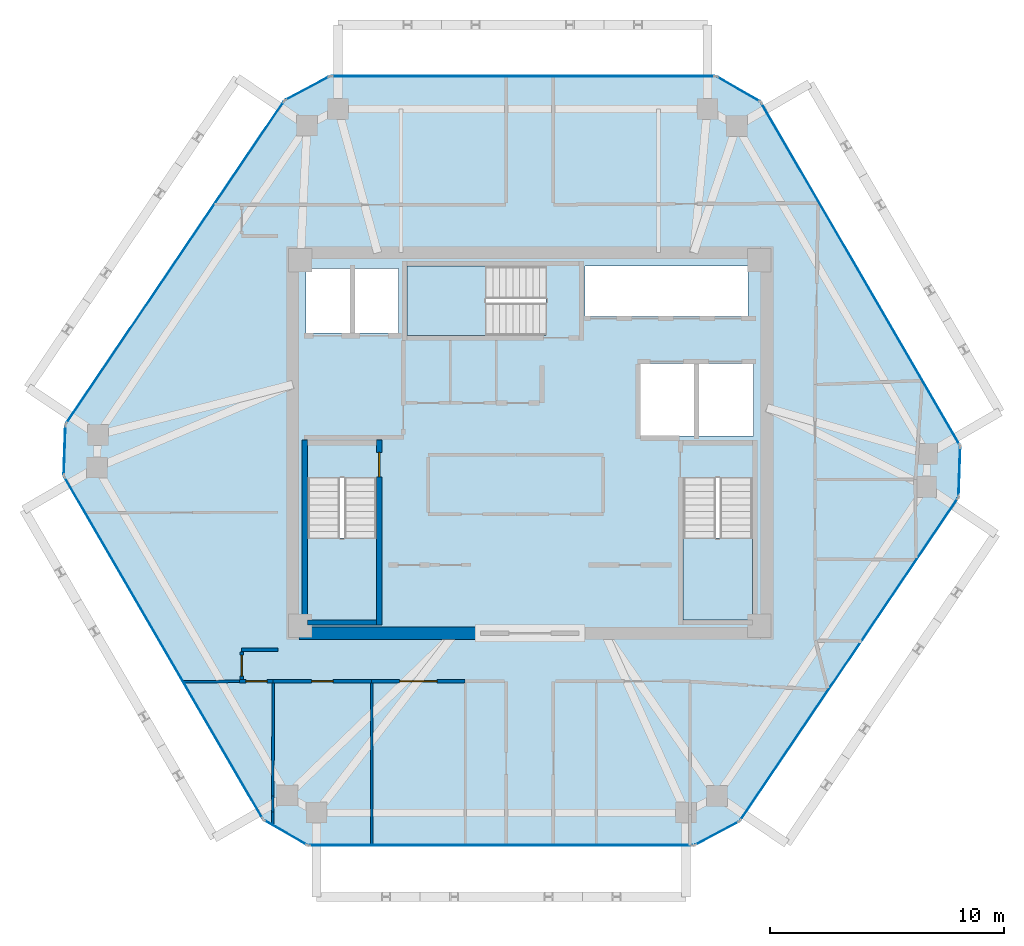
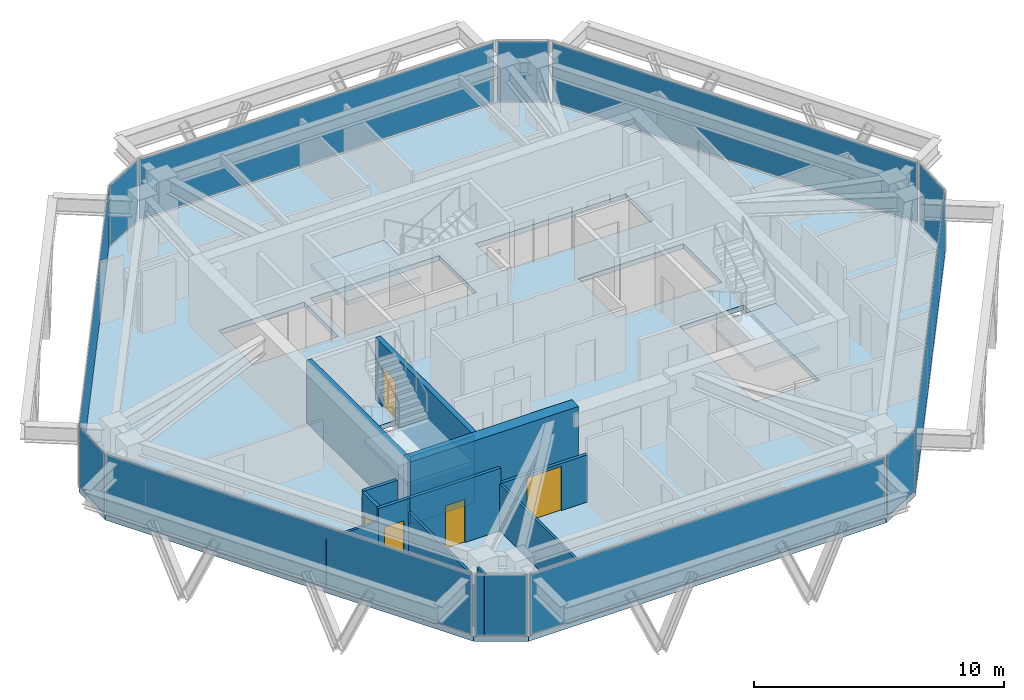
# One storey, part 7 of 11: 14 walls, 12 plates, 5 doors, 4 slabs, 5 openings, 15 elements without a shape of their own.
"""IFC4 building model written with IfcOpenShell, lengths in metres."""

import ifcopenshell
import ifcopenshell.guid

model = None  # the IFC model being written
_history = None  # IfcOwnerHistory: only IFC2X3 demands one
_inside = {}  # id of a spatial element -> (the spatial element, [elements in it])
_under = {}  # id of a project, library or spatial element -> (it, [spatial elements below it])
_declared = {}  # id of a project -> (the project, [libraries it declares])
_typed = {}  # id of a type object -> (the type object, [elements of that type])
_made_of = {}  # id of a material, layer set ... -> (it, [elements and type objects made of it])


def new_model(schema):
    """Start an empty IFC model of exactly this schema.

    Asked for "IFC4X3", IfcOpenShell would pick the latest addendum, in which some entities
    have other attributes; the version numbers below select the first issue.
    IFC2X3 requires an IfcOwnerHistory on every rooted entity: one is made here for all.
    """
    global model, _history
    if schema == "IFC4X3":
        model = ifcopenshell.file(schema_version=(4, 3, 0, 0))
    else:
        model = ifcopenshell.file(schema=schema)
    _inside.clear()
    _under.clear()
    _declared.clear()
    _typed.clear()
    _made_of.clear()
    _history = None
    if model.schema == "IFC2X3":
        org = make("IfcOrganization", Name="unknown")
        user = make(
            "IfcPersonAndOrganization",
            ThePerson=make("IfcPerson", FamilyName="unknown"),
            TheOrganization=org,
        )
        app = make(
            "IfcApplication",
            ApplicationDeveloper=org,
            Version="unknown",
            ApplicationFullName="unknown",
            ApplicationIdentifier="unknown",
        )
        _history = make(
            "IfcOwnerHistory",
            OwningUser=user,
            OwningApplication=app,
            ChangeAction="ADDED",
            CreationDate=0,
        )
    return model


def make(cls, **values):
    """One entity of the class cls with the attributes given. An attribute that is None is left unset."""
    return model.create_entity(
        cls, **{name: value for name, value in values.items() if value is not None}
    )


def rooted(cls, **values):
    """An entity with a GlobalId (a new one), such as an element, a storey or a relation."""
    return make(cls, GlobalId=ifcopenshell.guid.new(), OwnerHistory=_history, **values)


def si_unit(unit_type, name, prefix=None):
    """IfcSIUnit, for example si_unit("LENGTHUNIT", "METRE", prefix="MILLI")."""
    return make("IfcSIUnit", UnitType=unit_type, Prefix=prefix, Name=name)


def assignment(units):
    """IfcUnitAssignment: the units of a project."""
    return None if units is None else make("IfcUnitAssignment", Units=units)


def point(xyz):
    """IfcCartesianPoint."""
    return None if xyz is None else make("IfcCartesianPoint", Coordinates=xyz)


def direction(xyz):
    """IfcDirection."""
    return None if xyz is None else make("IfcDirection", DirectionRatios=xyz)


def frame(location, z_axis=None, x_axis=None):
    """IfcAxis2Placement3D, a coordinate frame: its origin and axes. An axis left out is left unset."""
    return make(
        "IfcAxis2Placement3D",
        Location=point(location),
        Axis=direction(z_axis),
        RefDirection=direction(x_axis),
    )


def frame_2d(location, x_axis=None):
    """IfcAxis2Placement2D, a coordinate frame in the plane: its origin and x axis."""
    return make(
        "IfcAxis2Placement2D", Location=point(location), RefDirection=direction(x_axis)
    )


def origin():
    """The frame at (0, 0, 0) with its axes left unset."""
    return frame((0.0, 0.0, 0.0))


def origin_2d():
    """The frame at (0, 0) in the plane with its x axis left unset."""
    return frame_2d((0.0, 0.0))


def place(relative_to, where):
    """IfcLocalPlacement: puts the frame where relative to a parent placement (None: the world)."""
    return make(
        "IfcLocalPlacement", PlacementRelTo=relative_to, RelativePlacement=where
    )


def context(
    kind, dimensions, precision=None, world=None, true_north=None, identifier=None
):
    """IfcGeometricRepresentationContext, for example the 3D "Model" context."""
    return make(
        "IfcGeometricRepresentationContext",
        ContextIdentifier=identifier,
        ContextType=kind,
        CoordinateSpaceDimension=dimensions,
        Precision=precision,
        WorldCoordinateSystem=world,
        TrueNorth=true_north,
    )


def subcontext(parent, identifier, kind, view, scale=None):
    """IfcGeometricRepresentationSubContext, for example "Body" below "Model"."""
    return make(
        "IfcGeometricRepresentationSubContext",
        ContextIdentifier=identifier,
        ContextType=kind,
        ParentContext=parent,
        TargetScale=scale,
        TargetView=view,
    )


def project(units=None, contexts=None):
    """IfcProject with its units and contexts."""
    return rooted(
        "IfcProject",
        Name="project",
        RepresentationContexts=contexts,
        UnitsInContext=assignment(units),
    )


def spatial(cls, under=None, at=None, **own):
    """A site, building, storey or space (cls), placed at a placement, below another one or the project."""
    s = rooted(cls, ObjectPlacement=at, **own)
    if under is not None:
        _under.setdefault(under.id(), (under, []))[1].append(s)
    return s


def polyline(points):
    """IfcPolyline through the points."""
    return make("IfcPolyline", Points=[point(p) for p in points])


def profile(cls, at=None, kind="AREA", **sizes):
    """A parametric profile (cls). Its sizes go by their IFC names, for example OverallWidth=200.0."""
    return make(cls, ProfileType=kind, Position=at, **sizes)


def rectangle(**sizes):
    """IfcRectangleProfileDef."""
    return profile("IfcRectangleProfileDef", **sizes)


def outline(outer, holes=None, kind="AREA"):
    """IfcArbitraryClosedProfileDef: a profile drawn as a closed curve; with holes, ...WithVoids."""
    if holes is None:
        return make("IfcArbitraryClosedProfileDef", ProfileType=kind, OuterCurve=outer)
    return make(
        "IfcArbitraryProfileDefWithVoids",
        ProfileType=kind,
        OuterCurve=outer,
        InnerCurves=holes,
    )


def extrude(swept, where, along, depth):
    """IfcExtrudedAreaSolid: the profile swept, set in the frame where, extruded along a direction by depth."""
    return make(
        "IfcExtrudedAreaSolid",
        SweptArea=swept,
        Position=where,
        ExtrudedDirection=direction(along),
        Depth=depth,
    )


def shape(context_of_items, identifier, shape_type, items):
    """IfcShapeRepresentation: the items that make up one representation, for example the "Body"."""
    return make(
        "IfcShapeRepresentation",
        ContextOfItems=context_of_items,
        RepresentationIdentifier=identifier,
        RepresentationType=shape_type,
        Items=items,
    )


def source(mapping_origin, context_of_items, identifier, shape_type, items):
    """IfcRepresentationMap: a shape defined once, which mapped items show again and again."""
    return make(
        "IfcRepresentationMap",
        MappingOrigin=mapping_origin,
        MappedRepresentation=shape(context_of_items, identifier, shape_type, items),
    )


def transform(
    local_origin,
    x_axis=None,
    y_axis=None,
    z_axis=None,
    scale=None,
    scale2=None,
    scale3=None,
    uniform=True,
):
    """IfcCartesianTransformationOperator3D, or its non-uniform kind. x_axis, y_axis, z_axis: its Axis1, 2, 3."""
    if uniform:
        return make(
            "IfcCartesianTransformationOperator3D",
            Axis1=direction(x_axis),
            Axis2=direction(y_axis),
            LocalOrigin=point(local_origin),
            Scale=scale,
            Axis3=direction(z_axis),
        )
    return make(
        "IfcCartesianTransformationOperator3DnonUniform",
        Axis1=direction(x_axis),
        Axis2=direction(y_axis),
        LocalOrigin=point(local_origin),
        Scale=scale,
        Axis3=direction(z_axis),
        Scale2=scale2,
        Scale3=scale3,
    )


def mapped(mapping_source, mapping_target):
    """IfcMappedItem: shows the shape of a source again, moved by a transform."""
    return make(
        "IfcMappedItem", MappingSource=mapping_source, MappingTarget=mapping_target
    )


def material(Name=None, Category=None):
    """IfcMaterial."""
    return make("IfcMaterial", Name=Name, Category=Category)


def layer(
    of_material, thickness, ventilated=None, Name=None, Category=None, Priority=None
):
    """IfcMaterialLayer: one layer of a wall or slab, of a material (None: an air gap)."""
    return make(
        "IfcMaterialLayer",
        Material=of_material,
        LayerThickness=thickness,
        IsVentilated=ventilated,
        Name=Name,
        Category=Category,
        Priority=Priority,
    )


def layer_set(layers, Name=None):
    """IfcMaterialLayerSet."""
    return make("IfcMaterialLayerSet", MaterialLayers=layers, LayerSetName=Name)


def made_of(thing, what):
    """Note that an element or type object is made of a material, layer set ...; save() writes the relation."""
    if what is not None:
        _made_of.setdefault(what.id(), (what, []))[1].append(thing)
    return thing


def type_object(cls, material=None, **own):
    """A type object (cls), such as IfcWallType, which elements share."""
    return made_of(rooted(cls, **own), material)


def type_shapes(of_type, sources):
    """Give a type object the sources (RepresentationMaps) that its elements show as mapped items."""
    of_type.RepresentationMaps = sources


def element(
    cls,
    number,
    at=None,
    inside=None,
    cuts=None,
    type_object=None,
    material=None,
    context=None,
    identifier="Body",
    shape_type=None,
    held_by="IfcProductDefinitionShape",
    body=None,
    shapes=None,
    **own,
):
    """One element of the class cls, such as IfcWall. Its Tag is "e" and its number.

    at: its placement. inside: the storey or other place that contains it. cuts: it is an
    opening in that element (IfcRelVoidsElement). A single representation is given by context,
    identifier, shape_type and body (its items); several are given by shapes. held_by: the class
    of the entity that holds the representations. save() writes the other relations.
    """
    e = rooted(cls, Tag="e%d" % number, ObjectPlacement=at, **own)
    if body is not None:
        shapes = [shape(context, identifier, shape_type, body)]
    if shapes is not None:
        e.Representation = make(held_by, Representations=shapes)
    if inside is not None:
        _inside.setdefault(inside.id(), (inside, []))[1].append(e)
    if cuts is not None:
        rooted(
            "IfcRelVoidsElement", RelatingBuildingElement=cuts, RelatedOpeningElement=e
        )
    if type_object is not None:
        _typed.setdefault(type_object.id(), (type_object, []))[1].append(e)
    return made_of(e, material)


def fill(opening, filler):
    """IfcRelFillsElement: the door or window that sits in an opening."""
    return rooted(
        "IfcRelFillsElement",
        RelatingOpeningElement=opening,
        RelatedBuildingElement=filler,
    )


def aggregate(whole, parts):
    """IfcRelAggregates: a whole, such as a stair, and the parts it consists of."""
    return rooted("IfcRelAggregates", RelatingObject=whole, RelatedObjects=parts)


def save(model, path):
    """Write the relations noted so far, then the file.

    IfcRelAggregates (storeys below a building ...), IfcRelContainedInSpatialStructure (elements
    in a storey), IfcRelDefinesByType, IfcRelAssociatesMaterial and IfcRelDeclares: one each for
    every whole, place, type object, material and project.
    """
    for whole, parts in _under.values():
        aggregate(whole, parts)
    for where, things in _inside.values():
        rooted(
            "IfcRelContainedInSpatialStructure",
            RelatedElements=things,
            RelatingStructure=where,
        )
    for kind, things in _typed.values():
        rooted("IfcRelDefinesByType", RelatedObjects=things, RelatingType=kind)
    for what, things in _made_of.values():
        rooted("IfcRelAssociatesMaterial", RelatedObjects=things, RelatingMaterial=what)
    for by, libraries in _declared.values():
        rooted("IfcRelDeclares", RelatingContext=by, RelatedDefinitions=libraries)
    model.write(path)


model = new_model("IFC4")

# Units and contexts
model_context = context("Model", 3, precision=1e-05, world=origin(), true_north=direction((0.0, 1.0)))
body_context = subcontext(model_context, "Body", "Model", "MODEL_VIEW")
ifc_project = project(units=[si_unit("LENGTHUNIT", "METRE"), si_unit("AREAUNIT", "SQUARE_METRE"), si_unit("VOLUMEUNIT", "CUBIC_METRE"), si_unit("PLANEANGLEUNIT", "RADIAN"), si_unit("MASSUNIT", "GRAM", prefix="KILO")], contexts=[model_context])

# Site, building, storey
site_placement = place(None, origin())
site = spatial("IfcSite", under=ifc_project, at=site_placement, CompositionType="ELEMENT")
building_placement = place(site_placement, origin())
building = spatial("IfcBuilding", under=site, at=building_placement, Name="Durnholm Broadcast Tower", CompositionType="ELEMENT")
storey_placement = place(building_placement, frame((0.0, 0.0, 244.699951171875)))
storey = spatial("IfcBuildingStorey", under=building, at=storey_placement, Name="L68", CompositionType="ELEMENT", Elevation=244.699951171875)

# Slab
ifc_material_1 = material(Name="Concrete C50/60", Category="concrete")
ifc_layer_1 = layer(ifc_material_1, 0.239990234375)
ifc_layer_set_1 = layer_set([ifc_layer_1], Name="Concrete C50/60")
slab_type_1 = type_object("IfcSlabType", Name="SLAB-FLR-240", PredefinedType="FLOOR", material=ifc_layer_set_1)
slab_1_placement = place(storey_placement, frame((0.0, 0.0, -0.239990234375)))
element("IfcSlab", 1, at=slab_1_placement, inside=storey, type_object=slab_type_1, Name="L68 structural floor slab", PredefinedType="FLOOR", context=body_context, shape_type="SweptSolid", body=[
    extrude(outline(polyline([(-11.384521484375, -16.088134765625), (-9.47802734375, -17.18603515625), (7.012451171875, -17.18603515625), (8.955322265625, -16.154296875), (18.307861328125, -2.3203125), (18.38330078125, -0.12158203125), (9.8603515625, 14.564208984375), (7.9541015625, 15.662109375), (-8.536376953125, 15.662109375), (-10.4794921875, 14.630126953125), (-19.831787109375, 0.79638671875), (-19.9072265625, -1.40234375), (-11.384521484375, -16.088134765625)]), holes=[polyline([(-6.5400390625, -1.5), (-9.5, -1.5), (-9.5, -7.550048828125), (-6.5400390625, -7.550048828125), (-6.5400390625, -1.5)]), polyline([(9.5, -7.550048828125), (9.5, -1.5), (6.5400390625, -1.5), (6.5400390625, -7.550048828125), (9.5, -7.550048828125)]), polyline([(9.550048828125, 3.39990234375), (4.699951171875, 3.39990234375), (4.699951171875, 0.300048828125), (9.550048828125, 0.300048828125), (9.550048828125, 3.39990234375)]), polyline([(-9.550048828125, 7.449951171875), (-9.550048828125, 4.699951171875), (-5.60009765625, 4.699951171875), (-5.60009765625, 7.449951171875), (-9.550048828125, 7.449951171875)]), polyline([(-5.25, 4.60009765625), (0.699951171875, 4.60009765625), (0.699951171875, 7.56005859375), (-5.25, 7.56005859375), (-5.25, 4.60009765625)]), polyline([(9.31005859375, 7.550048828125), (2.35009765625, 7.550048828125), (2.35009765625, 5.39990234375), (9.31005859375, 5.39990234375), (9.31005859375, 7.550048828125)])]), origin(), (0.0, 0.0, 1.0), 0.239990234375),
])

# Stair, slab
stair_type = type_object("IfcStairType", Name="STAIR-DL-20R1650", PredefinedType="HALF_TURN_STAIR", material=ifc_material_1)
stair_1_placement = place(storey_placement, origin())
stair_1 = element("IfcStair", 2, at=stair_1_placement, inside=storey, type_object=stair_type, Name="L68 ST-1", PredefinedType="HALF_TURN_STAIR")
ifc_layer_2 = layer(ifc_material_1, 0.199951171875)
ifc_layer_set_2 = layer_set([ifc_layer_2], Name="Concrete C50/60")
slab_type_2 = type_object("IfcSlabType", Name="SLAB-LND-200", PredefinedType="LANDING", material=ifc_layer_set_2)
slab_2_placement = place(storey_placement, frame((0.0, 0.0, 1.449951171875)))
slab_2 = element("IfcSlab", 3, at=slab_2_placement, type_object=slab_type_2, Name="ST-1 landing 1", PredefinedType="LANDING", context=body_context, shape_type="SweptSolid", body=[
    extrude(outline(polyline([(-9.5, -4.06494140625), (-9.5, -7.550048828125), (-6.5400390625, -7.550048828125), (-6.5400390625, -4.06494140625), (-9.5, -4.06494140625)])), origin(), (0.0, 0.0, 1.0), 0.2001953125),
])
aggregate(stair_1, [slab_2])

stair_2_placement = place(storey_placement, origin())
stair_2 = element("IfcStair", 4, at=stair_2_placement, inside=storey, type_object=stair_type, Name="L68 ST-2", PredefinedType="HALF_TURN_STAIR")
slab_3_placement = place(storey_placement, frame((0.0, 0.0, 1.449951171875)))
slab_3 = element("IfcSlab", 5, at=slab_3_placement, type_object=slab_type_2, Name="ST-2 landing 1", PredefinedType="LANDING", context=body_context, shape_type="SweptSolid", body=[
    extrude(outline(polyline([(6.5400390625, -4.06494140625), (6.5400390625, -7.550048828125), (9.5, -7.550048828125), (9.5, -4.06494140625), (6.5400390625, -4.06494140625)])), origin(), (0.0, 0.0, 1.0), 0.2001953125),
])
aggregate(stair_2, [slab_3])

stair_3_placement = place(storey_placement, origin())
stair_3 = element("IfcStair", 6, at=stair_3_placement, inside=storey, type_object=stair_type, Name="L68 ST-3", PredefinedType="HALF_TURN_STAIR")
slab_4_placement = place(storey_placement, frame((0.0, 0.0, 1.449951171875)))
slab_4 = element("IfcSlab", 7, at=slab_4_placement, type_object=slab_type_2, Name="ST-3 landing 1", PredefinedType="LANDING", context=body_context, shape_type="SweptSolid", body=[
    extrude(outline(polyline([(-1.864990234375, 7.56005859375), (-5.25, 7.56005859375), (-5.25, 4.60009765625), (-1.864990234375, 4.60009765625), (-1.864990234375, 7.56005859375)])), origin(), (0.0, 0.0, 1.0), 0.2001953125),
])
aggregate(stair_3, [slab_4])

# Curtain wall, plate
ifc_material_2 = material(Name="Aluminium and Solar Control IGU", Category="aluminium")
ifc_layer_3 = layer(ifc_material_2, 0.1650390625)
ifc_layer_set_3 = layer_set([ifc_layer_3], Name="Aluminium and Solar Control IGU")
curtain_wall_type_1 = type_object("IfcCurtainWallType", Name="CW-SYS-5", PredefinedType="NOTDEFINED", material=ifc_layer_set_3)
curtain_wall_1_placement = place(storey_placement, origin())
curtain_wall_1 = element("IfcCurtainWall", 8, at=curtain_wall_1_placement, inside=storey, type_object=curtain_wall_type_1, Name="L68 curtain wall CW-CORNER CW-L68-CRN-01", PredefinedType="NOTDEFINED")
ifc_material_3 = material(Name="Low-E Laminated Insulating Glass", Category="glass")
ifc_layer_4 = layer(ifc_material_3, 0.030029296875)
ifc_layer_set_4 = layer_set([ifc_layer_4], Name="Low-E Laminated Insulating Glass")
plate_type_1 = type_object("IfcPlateType", Name="CW-SYS-5-PNL", PredefinedType="CURTAIN_PANEL", material=ifc_layer_set_4)
shared_shape_1 = source(origin(), body_context, "Body", "SweptSolid", [
    extrude(rectangle(XDim=2.070068359375, YDim=0.030029296875, at=origin_2d()), origin(), (0.0, 0.0, 1.0), 2.929931640625),
])
plate_1_placement = place(storey_placement, frame((-19.86962890625, -0.302978515625, 0.06494140625), z_axis=(0.0, 0.0, 1.0), x_axis=(0.034318245849, 0.999410955514, 0.0)))
plate_1 = element("IfcPlate", 9, at=plate_1_placement, type_object=plate_type_1, Name="CW-CORNER panel 1.1", PredefinedType="CURTAIN_PANEL", context=body_context, shape_type="MappedRepresentation", body=[
    mapped(shared_shape_1, transform((0.0, 0.0, 0.0), x_axis=(1.0, 0.0, 0.0), y_axis=(0.0, 1.0, 0.0), z_axis=(0.0, 0.0, 1.0), scale=1.0)),
])
aggregate(curtain_wall_1, [plate_1])

curtain_wall_2_placement = place(storey_placement, origin())
curtain_wall_2 = element("IfcCurtainWall", 10, at=curtain_wall_2_placement, inside=storey, type_object=curtain_wall_type_1, Name="L68 curtain wall CW-CORNER CW-L68-CRN-03", PredefinedType="NOTDEFINED")
plate_2_placement = place(storey_placement, frame((-9.5078125, 15.14599609375, 0.06494140625), z_axis=(0.0, 0.0, 1.0), x_axis=(0.883194569853, 0.469006771575, 0.0)))
plate_2 = element("IfcPlate", 11, at=plate_2_placement, type_object=plate_type_1, Name="CW-CORNER panel 1.1", PredefinedType="CURTAIN_PANEL", context=body_context, shape_type="MappedRepresentation", body=[
    mapped(shared_shape_1, transform((0.0, 0.0, 0.0), x_axis=(1.0, 0.0, 0.0), y_axis=(0.0, 1.0, 0.0), z_axis=(0.0, 0.0, 1.0), scale=1.0)),
])
aggregate(curtain_wall_2, [plate_2])

curtain_wall_3_placement = place(storey_placement, origin())
curtain_wall_3 = element("IfcCurtainWall", 12, at=curtain_wall_3_placement, inside=storey, type_object=curtain_wall_type_1, Name="L68 curtain wall CW-CORNER CW-L68-CRN-07", PredefinedType="NOTDEFINED")
plate_3_placement = place(storey_placement, frame((18.345458984375, -1.220947265625, 0.06494140625), z_axis=(0.0, 0.0, 1.0), x_axis=(-0.034318245849, -0.999410955514, 0.0)))
plate_3 = element("IfcPlate", 13, at=plate_3_placement, type_object=plate_type_1, Name="CW-CORNER panel 1.1", PredefinedType="CURTAIN_PANEL", context=body_context, shape_type="MappedRepresentation", body=[
    mapped(shared_shape_1, transform((0.0, 0.0, 0.0), x_axis=(1.0, 0.0, 0.0), y_axis=(0.0, 1.0, 0.0), z_axis=(0.0, 0.0, 1.0), scale=1.0)),
])
aggregate(curtain_wall_3, [plate_3])

curtain_wall_4_placement = place(storey_placement, origin())
curtain_wall_4 = element("IfcCurtainWall", 14, at=curtain_wall_4_placement, inside=storey, type_object=curtain_wall_type_1, Name="L68 curtain wall CW-CORNER CW-L68-CRN-09", PredefinedType="NOTDEFINED")
plate_4_placement = place(storey_placement, frame((7.98388671875, -16.670166015625, 0.06494140625), z_axis=(0.0, 0.0, 1.0), x_axis=(-0.883194569853, -0.469006771575, 0.0)))
plate_4 = element("IfcPlate", 15, at=plate_4_placement, type_object=plate_type_1, Name="CW-CORNER panel 1.1", PredefinedType="CURTAIN_PANEL", context=body_context, shape_type="MappedRepresentation", body=[
    mapped(shared_shape_1, transform((0.0, 0.0, 0.0), x_axis=(1.0, 0.0, 0.0), y_axis=(0.0, 1.0, 0.0), z_axis=(0.0, 0.0, 1.0), scale=1.0)),
])
aggregate(curtain_wall_4, [plate_4])

ifc_layer_5 = layer(ifc_material_2, 0.18994140625)
ifc_layer_set_5 = layer_set([ifc_layer_5], Name="Aluminium and Solar Control IGU")
curtain_wall_type_2 = type_object("IfcCurtainWallType", Name="CW-SYS-4", PredefinedType="NOTDEFINED", material=ifc_layer_set_5)
curtain_wall_5_placement = place(storey_placement, origin())
curtain_wall_5 = element("IfcCurtainWall", 16, at=curtain_wall_5_placement, inside=storey, type_object=curtain_wall_type_2, Name="L68 curtain wall CW-Z34-VIS CW-L68-F02", PredefinedType="NOTDEFINED")
ifc_layer_6 = layer(ifc_material_3, 0.033935546875)
ifc_layer_set_6 = layer_set([ifc_layer_6], Name="Low-E Laminated Insulating Glass")
plate_type_2 = type_object("IfcPlateType", Name="CW-SYS-4-PNL", PredefinedType="CURTAIN_PANEL", material=ifc_layer_set_6)
shared_shape_2 = source(origin(), body_context, "Body", "SweptSolid", [
    extrude(rectangle(XDim=16.55859375, YDim=0.033935546875, at=origin_2d()), origin(), (0.0, 0.0, 1.0), 2.919921875),
])
plate_5_placement = place(storey_placement, frame((-15.155517578125, 7.71337890625, 0.070068359375), z_axis=(0.0, 0.0, 1.0), x_axis=(0.560072745753, 0.828443431662, 0.0)))
plate_5 = element("IfcPlate", 17, at=plate_5_placement, type_object=plate_type_2, Name="CW-Z34-VIS panel 1.1", PredefinedType="CURTAIN_PANEL", context=body_context, shape_type="MappedRepresentation", body=[
    mapped(shared_shape_2, transform((0.0, 0.0, 0.0), x_axis=(1.0, 0.0, 0.0), y_axis=(0.0, 1.0, 0.0), z_axis=(0.0, 0.0, 1.0), scale=1.0)),
])
aggregate(curtain_wall_5, [plate_5])

curtain_wall_6_placement = place(storey_placement, origin())
curtain_wall_6 = element("IfcCurtainWall", 18, at=curtain_wall_6_placement, inside=storey, type_object=curtain_wall_type_2, Name="L68 curtain wall CW-Z34-VIS CW-L68-F08", PredefinedType="NOTDEFINED")
plate_6_placement = place(storey_placement, frame((13.631591796875, -9.2373046875, 0.070068359375), z_axis=(0.0, 0.0, 1.0), x_axis=(-0.560072745753, -0.828443431662, 0.0)))
plate_6 = element("IfcPlate", 19, at=plate_6_placement, type_object=plate_type_2, Name="CW-Z34-VIS panel 1.1", PredefinedType="CURTAIN_PANEL", context=body_context, shape_type="MappedRepresentation", body=[
    mapped(shared_shape_2, transform((0.0, 0.0, 0.0), x_axis=(1.0, 0.0, 0.0), y_axis=(0.0, 1.0, 0.0), z_axis=(0.0, 0.0, 1.0), scale=1.0)),
])
aggregate(curtain_wall_6, [plate_6])

curtain_wall_7_placement = place(storey_placement, origin())
curtain_wall_7 = element("IfcCurtainWall", 20, at=curtain_wall_7_placement, inside=storey, type_object=curtain_wall_type_2, Name="L68 curtain wall CW-Z34-VIS CW-L68-F04", PredefinedType="NOTDEFINED")
shared_shape_3 = source(origin(), body_context, "Body", "SweptSolid", [
    extrude(rectangle(XDim=16.350341796875, YDim=0.033935546875, at=origin_2d()), origin(), (0.0, 0.0, 1.0), 2.919921875),
])
plate_7_placement = place(storey_placement, frame((-0.291259765625, 15.662109375, 0.070068359375), z_axis=(0.0, 0.0, 1.0), x_axis=(1.0, 0.0, 0.0)))
plate_7 = element("IfcPlate", 21, at=plate_7_placement, type_object=plate_type_2, Name="CW-Z34-VIS panel 1.1", PredefinedType="CURTAIN_PANEL", context=body_context, shape_type="MappedRepresentation", body=[
    mapped(shared_shape_3, transform((0.0, 0.0, 0.0), x_axis=(1.0, 0.0, 0.0), y_axis=(0.0, 1.0, 0.0), z_axis=(0.0, 0.0, 1.0), scale=1.0)),
])
aggregate(curtain_wall_7, [plate_7])

curtain_wall_8_placement = place(storey_placement, origin())
curtain_wall_8 = element("IfcCurtainWall", 22, at=curtain_wall_8_placement, inside=storey, type_object=curtain_wall_type_2, Name="L68 curtain wall CW-Z34-VIS CW-L68-F10", PredefinedType="NOTDEFINED")
plate_8_placement = place(storey_placement, frame((-1.23291015625, -17.18603515625, 0.070068359375), z_axis=(0.0, 0.0, 1.0), x_axis=(-1.0, 0.0, 0.0)))
plate_8 = element("IfcPlate", 23, at=plate_8_placement, type_object=plate_type_2, Name="CW-Z34-VIS panel 1.1", PredefinedType="CURTAIN_PANEL", context=body_context, shape_type="MappedRepresentation", body=[
    mapped(shared_shape_3, transform((0.0, 0.0, 0.0), x_axis=(1.0, 0.0, 0.0), y_axis=(0.0, 1.0, 0.0), z_axis=(0.0, 0.0, 1.0), scale=1.0)),
])
aggregate(curtain_wall_8, [plate_8])

curtain_wall_9_placement = place(storey_placement, origin())
curtain_wall_9 = element("IfcCurtainWall", 24, at=curtain_wall_9_placement, inside=storey, type_object=curtain_wall_type_1, Name="L68 curtain wall CW-CORNER CW-L68-CRN-05", PredefinedType="NOTDEFINED")
shared_shape_4 = source(origin(), body_context, "Body", "SweptSolid", [
    extrude(rectangle(XDim=2.06982421875, YDim=0.030029296875, at=origin_2d()), origin(), (0.0, 0.0, 1.0), 2.929931640625),
])
type_shapes(plate_type_1, [shared_shape_1, shared_shape_4])
plate_9_placement = place(storey_placement, frame((8.9072265625, 15.113037109375, 0.06494140625), z_axis=(0.0, 0.0, 1.0), x_axis=(0.866568249707, -0.499058582333, 0.0)))
plate_9 = element("IfcPlate", 25, at=plate_9_placement, type_object=plate_type_1, Name="CW-CORNER panel 1.1", PredefinedType="CURTAIN_PANEL", context=body_context, shape_type="MappedRepresentation", body=[
    mapped(shared_shape_4, transform((0.0, 0.0, 0.0), x_axis=(1.0, 0.0, 0.0), y_axis=(0.0, 1.0, 0.0), z_axis=(0.0, 0.0, 1.0), scale=1.0)),
])
aggregate(curtain_wall_9, [plate_9])

curtain_wall_10_placement = place(storey_placement, origin())
curtain_wall_10 = element("IfcCurtainWall", 26, at=curtain_wall_10_placement, inside=storey, type_object=curtain_wall_type_1, Name="L68 curtain wall CW-CORNER CW-L68-CRN-11", PredefinedType="NOTDEFINED")
plate_10_placement = place(storey_placement, frame((-10.43115234375, -16.636962890625, 0.06494140625), z_axis=(0.0, 0.0, 1.0), x_axis=(-0.866568249707, 0.499058582333, 0.0)))
plate_10 = element("IfcPlate", 27, at=plate_10_placement, type_object=plate_type_1, Name="CW-CORNER panel 1.1", PredefinedType="CURTAIN_PANEL", context=body_context, shape_type="MappedRepresentation", body=[
    mapped(shared_shape_4, transform((0.0, 0.0, 0.0), x_axis=(1.0, 0.0, 0.0), y_axis=(0.0, 1.0, 0.0), z_axis=(0.0, 0.0, 1.0), scale=1.0)),
])
aggregate(curtain_wall_10, [plate_10])

curtain_wall_11_placement = place(storey_placement, origin())
curtain_wall_11 = element("IfcCurtainWall", 28, at=curtain_wall_11_placement, inside=storey, type_object=curtain_wall_type_2, Name="L68 curtain wall CW-Z34-VIS CW-L68-F06", PredefinedType="NOTDEFINED")
shared_shape_5 = source(origin(), body_context, "Body", "SweptSolid", [
    extrude(rectangle(XDim=16.83984375, YDim=0.033935546875, at=origin_2d()), origin(), (0.0, 0.0, 1.0), 2.919921875),
])
type_shapes(plate_type_2, [shared_shape_2, shared_shape_3, shared_shape_5])
plate_11_placement = place(storey_placement, frame((14.121826171875, 7.22119140625, 0.070068359375), z_axis=(0.0, 0.0, 1.0), x_axis=(0.50194441023, -0.864899883824, 0.0)))
plate_11 = element("IfcPlate", 29, at=plate_11_placement, type_object=plate_type_2, Name="CW-Z34-VIS panel 1.1", PredefinedType="CURTAIN_PANEL", context=body_context, shape_type="MappedRepresentation", body=[
    mapped(shared_shape_5, transform((0.0, 0.0, 0.0), x_axis=(1.0, 0.0, 0.0), y_axis=(0.0, 1.0, 0.0), z_axis=(0.0, 0.0, 1.0), scale=1.0)),
])
aggregate(curtain_wall_11, [plate_11])

curtain_wall_12_placement = place(storey_placement, origin())
curtain_wall_12 = element("IfcCurtainWall", 30, at=curtain_wall_12_placement, inside=storey, type_object=curtain_wall_type_2, Name="L68 curtain wall CW-Z34-VIS CW-L68-F12", PredefinedType="NOTDEFINED")
plate_12_placement = place(storey_placement, frame((-15.645751953125, -8.7451171875, 0.070068359375), z_axis=(0.0, 0.0, 1.0), x_axis=(-0.50194441023, 0.864899883824, 0.0)))
plate_12 = element("IfcPlate", 31, at=plate_12_placement, type_object=plate_type_2, Name="CW-Z34-VIS panel 1.1", PredefinedType="CURTAIN_PANEL", context=body_context, shape_type="MappedRepresentation", body=[
    mapped(shared_shape_5, transform((0.0, 0.0, 0.0), x_axis=(1.0, 0.0, 0.0), y_axis=(0.0, 1.0, 0.0), z_axis=(0.0, 0.0, 1.0), scale=1.0)),
])
aggregate(curtain_wall_12, [plate_12])

# Walls
ifc_material_4 = material(Name="Concrete C70/85", Category="concrete")
ifc_layer_7 = layer(ifc_material_4, 0.550048828125)
ifc_layer_set_7 = layer_set([ifc_layer_7], Name="Concrete C70/85")
wall_type_1 = type_object("IfcWallType", Name="WALL-CW-550", PredefinedType="SHEAR", material=ifc_layer_set_7)
wall_1_placement = place(storey_placement, frame((-9.85009765625, -8.125, 0.0), z_axis=(0.0, 0.0, 1.0), x_axis=(1.0, 0.0, 0.0)))
element("IfcWall", 32, at=wall_1_placement, inside=storey, type_object=wall_type_1, Name="L68 central core shear wall CW-S1", PredefinedType="SHEAR", context=body_context, shape_type="SweptSolid", body=[
    extrude(rectangle(XDim=7.75, YDim=0.550048828125, at=frame_2d((3.875, 0.0))), origin(), (0.0, 0.0, 1.0), 3.300048828125),
])
ifc_material_5 = material(Name="Operable Acoustic Panel Partition", Category="aluminium")
ifc_layer_8 = layer(ifc_material_5, 0.110107421875)
ifc_layer_set_8 = layer_set([ifc_layer_8], Name="Operable Acoustic Panel Partition")
wall_type_2 = type_object("IfcWallType", Name="WALL-MOV-110", PredefinedType="MOVABLE", material=ifc_layer_set_8)
wall_2_placement = place(storey_placement, frame((-10.960205078125, -10.259033203125, 0.0), z_axis=(0.0, 0.0, 1.0), x_axis=(-0.003240981611, -0.999994748005, 0.0)))
element("IfcWall", 33, at=wall_2_placement, inside=storey, type_object=wall_type_2, Name="L68 room dividing partition 14.15", PredefinedType="MOVABLE", context=body_context, shape_type="SweptSolid", body=[
    extrude(rectangle(XDim=4.821044921875, YDim=0.110107421875, at=frame_2d((2.41064453125, 0.0))), origin(), (0.0, 0.0, 1.0), 2.39892578125),
])
wall_3_placement = place(storey_placement, frame((-10.97802734375, -15.7578125, 0.0), z_axis=(0.0, 0.0, 1.0), x_axis=(-0.003467686129, -0.999993987558, 0.0)))
element("IfcWall", 34, at=wall_3_placement, inside=storey, type_object=wall_type_2, Name="L68 room dividing partition 14.15", PredefinedType="MOVABLE", context=body_context, shape_type="SweptSolid", body=[
    extrude(rectangle(XDim=0.563232421875, YDim=0.110107421875, at=frame_2d((0.28173828125, 0.0))), origin(), (0.0, 0.0, 1.0), 3.045166015625),
])
wall_4_placement = place(storey_placement, frame((-10.975830078125, -15.080078125, 0.0), z_axis=(0.0, 0.0, 1.0), x_axis=(-0.003242057889, -0.999994744517, 0.0)))
element("IfcWall", 35, at=wall_4_placement, inside=storey, type_object=wall_type_2, Name="L68 room dividing partition 14.15", PredefinedType="MOVABLE", context=body_context, shape_type="SweptSolid", body=[
    extrude(rectangle(XDim=0.677734375, YDim=0.110107421875, at=frame_2d((0.3388671875, 0.0))), origin(), (0.0, 0.0, 1.0), 1.876953125),
])
wall_5_placement = place(storey_placement, frame((-14.801513671875, -10.199951171875, 0.0), z_axis=(0.0, 0.0, 1.0), x_axis=(0.999968020968, 0.007997314604, 0.0)))
element("IfcWall", 36, at=wall_5_placement, inside=storey, type_object=wall_type_2, Name="L68 room dividing partition 14.21", PredefinedType="MOVABLE", context=body_context, shape_type="SweptSolid", body=[
    extrude(rectangle(XDim=2.41162109375, YDim=0.110107421875, at=frame_2d((1.205810546875, 0.0))), origin(), (0.0, 0.0, 1.0), 2.39892578125),
])
wall_6_placement = place(storey_placement, frame((-6.760009765625, -10.259033203125, 0.0), z_axis=(0.0, 0.0, 1.0), x_axis=(0.0, -1.0, 0.0)))
element("IfcWall", 37, at=wall_6_placement, inside=storey, type_object=wall_type_2, Name="L68 room dividing partition 15.16", PredefinedType="MOVABLE", context=body_context, shape_type="SweptSolid", body=[
    extrude(rectangle(XDim=6.927001953125, YDim=0.110107421875, at=frame_2d((3.46337890625, 0.0))), origin(), (0.0, 0.0, 1.0), 2.30126953125),
])

# Wall, opening, door
ifc_material_6 = material(Name="Acoustic Gypsum Stud Partition", Category="concrete")
ifc_layer_9 = layer(ifc_material_6, 0.14990234375)
ifc_layer_set_9 = layer_set([ifc_layer_9], Name="Acoustic Gypsum Stud Partition")
wall_type_3 = type_object("IfcWallType", Name="WALL-PART-150", PredefinedType="PARTITIONING", material=ifc_layer_set_9)
wall_7_placement = place(storey_placement, frame((-12.389892578125, -10.179931640625, 0.0), z_axis=(0.0, 0.0, 1.0), x_axis=(1.0, 0.0, 0.0)))
wall_7 = element("IfcWall", 38, at=wall_7_placement, inside=storey, type_object=wall_type_3, Name="L68 Affiliate Conference Room corridor partition", PredefinedType="PARTITIONING", context=body_context, shape_type="SweptSolid", body=[
    extrude(rectangle(XDim=1.429931640625, YDim=0.14990234375, at=frame_2d((0.71484375, 0.0))), origin(), (0.0, 0.0, 1.0), 3.045166015625),
])
opening_1_placement = place(wall_7_placement, frame((0.264892578125, 0.0, 0.0)))
opening_1 = element("IfcOpeningElement", 39, at=opening_1_placement, cuts=wall_7, Name="Opening DW-90R", PredefinedType="OPENING", context=body_context, shape_type="SweptSolid", body=[
    extrude(rectangle(XDim=0.89990234375, YDim=2.050048828125, at=frame_2d((0.449951171875, 1.02490234375))), frame((0.0, 0.0849609375, 0.0), z_axis=(0.0, -1.0, 0.0), x_axis=(1.0, 0.0, 0.0)), (0.0, 0.0, 1.0), 0.169921875),
])
ifc_material_7 = material(Name="Laminate Restroom Door", Category="steel")
ifc_layer_10 = layer(ifc_material_7, 0.050048828125)
ifc_layer_set_10 = layer_set([ifc_layer_10], Name="Laminate Restroom Door")
door_type_1 = type_object("IfcDoorType", Name="DOOR-WC-900R", OperationType="NOTDEFINED", PredefinedType="DOOR", material=ifc_layer_set_10)
shared_shape_6 = source(origin(), body_context, "Body", "SweptSolid", [
    extrude(rectangle(XDim=0.89990234375, YDim=2.050048828125, at=frame_2d((0.449951171875, 1.02490234375))), frame((0.0, 0.02490234375, 0.0), z_axis=(0.0, -1.0, 0.0), x_axis=(1.0, 0.0, 0.0)), (0.0, 0.0, 1.0), 0.050048828125),
])
type_shapes(door_type_1, [shared_shape_6])
door_1_placement = place(opening_1_placement, origin())
door_1 = element("IfcDoor", 40, at=door_1_placement, inside=storey, type_object=door_type_1, Name="L68 Affiliate Conference Room entrance door", OperationType="SINGLE_SWING_RIGHT", OverallHeight=2.050048828125, OverallWidth=0.89990234375, PredefinedType="DOOR", context=body_context, shape_type="MappedRepresentation", body=[
    mapped(shared_shape_6, transform((0.0, 0.0, 0.0), x_axis=(1.0, 0.0, 0.0), y_axis=(0.0, 1.0, 0.0), z_axis=(0.0, 0.0, 1.0), scale=1.0)),
])
fill(opening_1, door_1)

wall_8_placement = place(storey_placement, frame((-10.9599609375, -10.179931640625, 0.0), z_axis=(0.0, 0.0, 1.0), x_axis=(1.0, 0.0, 0.0)))
wall_8 = element("IfcWall", 41, at=wall_8_placement, inside=storey, type_object=wall_type_3, Name="L68 Executive Briefing Room corridor partition", PredefinedType="PARTITIONING", context=body_context, shape_type="SweptSolid", body=[
    extrude(rectangle(XDim=4.199951171875, YDim=0.14990234375, at=frame_2d((2.10009765625, 0.0))), origin(), (0.0, 0.0, 1.0), 3.045166015625),
])
opening_2_placement = place(wall_8_placement, frame((1.639892578125, 0.0, 0.0)))
opening_2 = element("IfcOpeningElement", 42, at=opening_2_placement, cuts=wall_8, Name="Opening DR-92L", PredefinedType="OPENING", context=body_context, shape_type="SweptSolid", body=[
    extrude(rectangle(XDim=0.919921875, YDim=2.10009765625, at=frame_2d((0.4599609375, 1.050048828125))), frame((0.0, 0.0849609375, 0.0), z_axis=(0.0, -1.0, 0.0), x_axis=(1.0, 0.0, 0.0)), (0.0, 0.0, 1.0), 0.169921875),
])
ifc_material_8 = material(Name="Oak Veneer Office Door", Category="wood")
ifc_layer_11 = layer(ifc_material_8, 0.050048828125)
ifc_layer_set_11 = layer_set([ifc_layer_11], Name="Oak Veneer Office Door")
door_type_2 = type_object("IfcDoorType", Name="DOOR-RM-920L", OperationType="NOTDEFINED", PredefinedType="DOOR", material=ifc_layer_set_11)
shared_shape_7 = source(origin(), body_context, "Body", "SweptSolid", [
    extrude(rectangle(XDim=0.919921875, YDim=2.10009765625, at=frame_2d((0.4599609375, 1.050048828125))), frame((0.0, 0.02490234375, 0.0), z_axis=(0.0, -1.0, 0.0), x_axis=(1.0, 0.0, 0.0)), (0.0, 0.0, 1.0), 0.050048828125),
])
type_shapes(door_type_2, [shared_shape_7])
door_2_placement = place(opening_2_placement, origin())
door_2 = element("IfcDoor", 43, at=door_2_placement, inside=storey, type_object=door_type_2, Name="L68 Executive Briefing Room entrance door", OperationType="SINGLE_SWING_LEFT", OverallHeight=2.10009765625, OverallWidth=0.919921875, PredefinedType="DOOR", context=body_context, shape_type="MappedRepresentation", body=[
    mapped(shared_shape_7, transform((0.0, 0.0, 0.0), x_axis=(1.0, 0.0, 0.0), y_axis=(0.0, 1.0, 0.0), z_axis=(0.0, 0.0, 1.0), scale=1.0)),
])
fill(opening_2, door_2)

wall_9_placement = place(storey_placement, frame((-6.760009765625, -10.179931640625, 0.0), z_axis=(0.0, 0.0, 1.0), x_axis=(1.0, 0.0, 0.0)))
wall_9 = element("IfcWall", 44, at=wall_9_placement, inside=storey, type_object=wall_type_3, Name="L68 Press Colloquium Hall corridor partition", PredefinedType="PARTITIONING", context=body_context, shape_type="SweptSolid", body=[
    extrude(rectangle(XDim=4.0, YDim=0.14990234375, at=frame_2d((2.0, 0.0))), origin(), (0.0, 0.0, 1.0), 2.30126953125),
])
opening_3_placement = place(wall_9_placement, frame((1.199951171875, 0.0, 0.0)))
opening_3 = element("IfcOpeningElement", 45, at=opening_3_placement, cuts=wall_9, Name="Opening DST-160", PredefinedType="OPENING", context=body_context, shape_type="SweptSolid", body=[
    extrude(rectangle(XDim=1.60009765625, YDim=2.14990234375, at=frame_2d((0.800048828125, 1.074951171875))), frame((0.0, 0.0849609375, 0.0), z_axis=(0.0, -1.0, 0.0), x_axis=(1.0, 0.0, 0.0)), (0.0, 0.0, 1.0), 0.169921875),
])
ifc_material_9 = material(Name="Acoustic Broadcast Studio Sound-Lock Door", Category="steel")
ifc_layer_12 = layer(ifc_material_9, 0.050048828125)
ifc_layer_set_12 = layer_set([ifc_layer_12], Name="Acoustic Broadcast Studio Sound-Lock Door")
door_type_3 = type_object("IfcDoorType", Name="DOOR-STU-1600", OperationType="DOUBLE_DOOR_SINGLE_SWING", PredefinedType="DOOR", material=ifc_layer_set_12)
shared_shape_8 = source(origin(), body_context, "Body", "SweptSolid", [
    extrude(rectangle(XDim=1.60009765625, YDim=2.14990234375, at=frame_2d((0.800048828125, 1.074951171875))), frame((0.0, 0.02490234375, 0.0), z_axis=(0.0, -1.0, 0.0), x_axis=(1.0, 0.0, 0.0)), (0.0, 0.0, 1.0), 0.050048828125),
])
type_shapes(door_type_3, [shared_shape_8])
door_3_placement = place(opening_3_placement, origin())
door_3 = element("IfcDoor", 46, at=door_3_placement, inside=storey, type_object=door_type_3, Name="L68 Press Colloquium Hall entrance door", OperationType="DOUBLE_DOOR_SINGLE_SWING", OverallHeight=2.14990234375, OverallWidth=1.60009765625, PredefinedType="DOOR", context=body_context, shape_type="MappedRepresentation", body=[
    mapped(shared_shape_8, transform((0.0, 0.0, 0.0), x_axis=(1.0, 0.0, 0.0), y_axis=(0.0, 1.0, 0.0), z_axis=(0.0, 0.0, 1.0), scale=1.0)),
])
fill(opening_3, door_3)

# Wall
wall_10_placement = place(storey_placement, frame((-10.760009765625, -8.840087890625, 0.0), z_axis=(0.0, 0.0, 1.0), x_axis=(-1.0, 0.0, 0.0)))
element("IfcWall", 47, at=wall_10_placement, inside=storey, type_object=wall_type_3, Name="L68 Affiliate Conference Room corridor partition", PredefinedType="PARTITIONING", context=body_context, shape_type="SweptSolid", body=[
    extrude(rectangle(XDim=1.550048828125, YDim=0.14990234375, at=frame_2d((0.77490234375, 0.0))), origin(), (0.0, 0.0, 1.0), 3.045166015625),
])

# Wall, opening, door
wall_11_placement = place(storey_placement, frame((-12.31005859375, -8.9189453125, 0.0), z_axis=(0.0, 0.0, 1.0), x_axis=(0.0, -1.0, 0.0)))
wall_11 = element("IfcWall", 48, at=wall_11_placement, inside=storey, type_object=wall_type_3, Name="L68 Affiliate Conference Room corridor partition", PredefinedType="PARTITIONING", context=body_context, shape_type="SweptSolid", body=[
    extrude(rectangle(XDim=1.18212890625, YDim=0.14990234375, at=frame_2d((0.591064453125, 0.0))), origin(), (0.0, 0.0, 1.0), 3.045166015625),
])
opening_4_placement = place(wall_11_placement, frame((0.14111328125, 0.0, 0.0)))
opening_4 = element("IfcOpeningElement", 49, at=opening_4_placement, cuts=wall_11, Name="Opening DW-90R", PredefinedType="OPENING", context=body_context, shape_type="SweptSolid", body=[
    extrude(rectangle(XDim=0.89990234375, YDim=2.050048828125, at=frame_2d((0.449951171875, 1.02490234375))), frame((0.0, 0.0849609375, 0.0), z_axis=(0.0, -1.0, 0.0), x_axis=(1.0, 0.0, 0.0)), (0.0, 0.0, 1.0), 0.169921875),
])
door_4_placement = place(opening_4_placement, origin())
door_4 = element("IfcDoor", 50, at=door_4_placement, inside=storey, type_object=door_type_1, Name="L68 Affiliate Conference Room entrance door", OperationType="SINGLE_SWING_RIGHT", OverallHeight=2.050048828125, OverallWidth=0.89990234375, PredefinedType="DOOR", context=body_context, shape_type="MappedRepresentation", body=[
    mapped(shared_shape_6, transform((0.0, 0.0, 0.0), x_axis=(1.0, 0.0, 0.0), y_axis=(0.0, 1.0, 0.0), z_axis=(0.0, 0.0, 1.0), scale=1.0)),
])
fill(opening_4, door_4)

ifc_layer_13 = layer(ifc_material_1, 0.219970703125)
ifc_layer_set_13 = layer_set([ifc_layer_13], Name="Concrete C50/60")
wall_type_4 = type_object("IfcWallType", Name="WALL-SW-220", PredefinedType="SHEAR", material=ifc_layer_set_13)
wall_12_placement = place(storey_placement, frame((-6.429931640625, -7.77001953125, -0.239990234375), z_axis=(0.0, 0.0, 1.0), x_axis=(0.0, 1.0, 0.0)))
wall_12 = element("IfcWall", 51, at=wall_12_placement, inside=storey, type_object=wall_type_4, Name="L68 stair ST-1 structural shaft wall E", PredefinedType="SHEAR", context=body_context, shape_type="SweptSolid", body=[
    extrude(rectangle(XDim=7.89013671875, YDim=0.219970703125, at=frame_2d((3.945068359375, 0.0))), origin(), (0.0, 0.0, 1.0), 3.300048828125),
])
opening_5_placement = place(wall_12_placement, frame((6.320068359375, 0.0, 0.0)))
opening_5 = element("IfcOpeningElement", 52, at=opening_5_placement, cuts=wall_12, Name="Opening DS-90L", PredefinedType="OPENING", context=body_context, shape_type="SweptSolid", body=[
    extrude(rectangle(XDim=1.050048828125, YDim=2.14990234375, at=frame_2d((0.52490234375, 1.074951171875))), frame((0.0, 0.1201171875, 0.0), z_axis=(0.0, -1.0, 0.0), x_axis=(1.0, 0.0, 0.0)), (0.0, 0.0, 1.0), 0.239990234375),
])
ifc_material_10 = material(Name="Fire-Rated Steel Door", Category="steel")
ifc_layer_14 = layer(ifc_material_10, 0.050048828125)
ifc_layer_set_14 = layer_set([ifc_layer_14], Name="Fire-Rated Steel Door")
door_type_4 = type_object("IfcDoorType", Name="DOOR-ST-FD90-L", OperationType="NOTDEFINED", PredefinedType="DOOR", material=ifc_layer_set_14)
shared_shape_9 = source(origin(), body_context, "Body", "SweptSolid", [
    extrude(rectangle(XDim=1.050048828125, YDim=2.14990234375, at=frame_2d((0.52490234375, 1.074951171875))), frame((0.0, 0.02490234375, 0.0), z_axis=(0.0, -1.0, 0.0), x_axis=(1.0, 0.0, 0.0)), (0.0, 0.0, 1.0), 0.050048828125),
])
type_shapes(door_type_4, [shared_shape_9])
door_5_placement = place(opening_5_placement, origin())
door_5 = element("IfcDoor", 53, at=door_5_placement, inside=storey, type_object=door_type_4, Name="L68 exit stair ST-1 fire door", OperationType="SINGLE_SWING_LEFT", OverallHeight=2.14990234375, OverallWidth=1.050048828125, PredefinedType="DOOR", context=body_context, shape_type="MappedRepresentation", body=[
    mapped(shared_shape_9, transform((0.0, 0.0, 0.0), x_axis=(1.0, 0.0, 0.0), y_axis=(0.0, 1.0, 0.0), z_axis=(0.0, 0.0, 1.0), scale=1.0)),
])
fill(opening_5, door_5)

# Walls
wall_13_placement = place(storey_placement, frame((-9.610107421875, 0.1201171875, -0.239990234375), z_axis=(0.0, 0.0, 1.0), x_axis=(0.0, -1.0, 0.0)))
element("IfcWall", 54, at=wall_13_placement, inside=storey, type_object=wall_type_4, Name="L68 stair ST-1 structural shaft wall W", PredefinedType="SHEAR", context=body_context, shape_type="SweptSolid", body=[
    extrude(rectangle(XDim=7.89013671875, YDim=0.219970703125, at=frame_2d((3.945068359375, 0.0))), origin(), (0.0, 0.0, 1.0), 3.300048828125),
])
wall_14_placement = place(storey_placement, frame((-9.5, -7.659912109375, -0.239990234375), z_axis=(0.0, 0.0, 1.0), x_axis=(1.0, 0.0, 0.0)))
element("IfcWall", 55, at=wall_14_placement, inside=storey, type_object=wall_type_4, Name="L68 stair ST-1 structural shaft wall S", PredefinedType="SHEAR", context=body_context, shape_type="SweptSolid", body=[
    extrude(rectangle(XDim=2.9599609375, YDim=0.219970703125, at=frame_2d((1.47998046875, 0.0))), origin(), (0.0, 0.0, 1.0), 3.300048828125),
])

save(model, "model.ifc")
